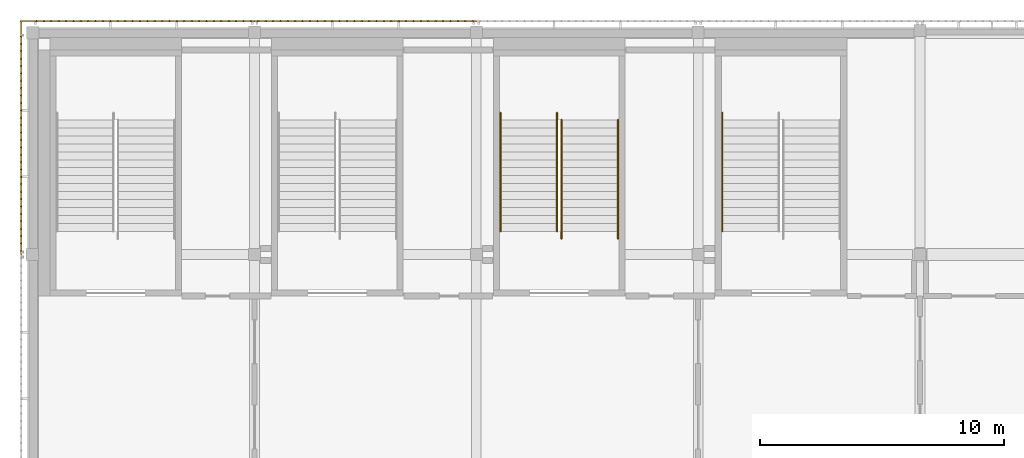
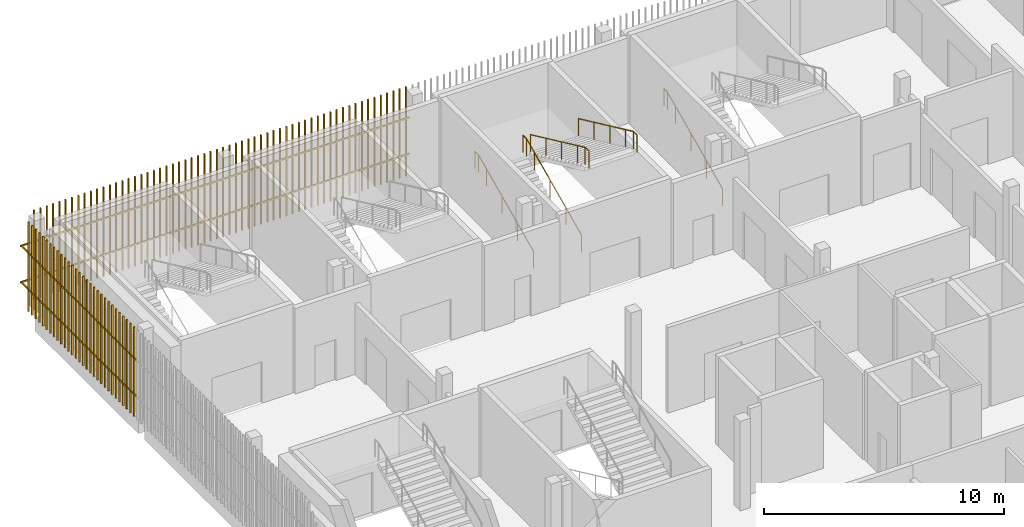
# One storey, part 80 of 91: 5 railings, 3 shading devices.
"""IFC4 building model written with IfcOpenShell, lengths in metres."""

from ifc_helpers import new_model, si_unit, direction, frame, origin, origin_2d, place, context, subcontext, project, spatial, rectangle, circle, extrude, material, type_object, element, save


model = new_model("IFC4")

# Units and contexts
model_context = context("Model", 3, precision=1e-05, world=origin(), true_north=direction((0.0, 1.0)))
body_context = subcontext(model_context, "Body", "Model", "MODEL_VIEW")
ifc_project = project(units=[si_unit("LENGTHUNIT", "METRE"), si_unit("AREAUNIT", "SQUARE_METRE"), si_unit("VOLUMEUNIT", "CUBIC_METRE"), si_unit("PLANEANGLEUNIT", "RADIAN"), si_unit("MASSUNIT", "GRAM", prefix="KILO")], contexts=[model_context])

# Site, building, storey
site_placement = place(None, origin())
site = spatial("IfcSite", under=ifc_project, at=site_placement, CompositionType="ELEMENT")
building_placement = place(site_placement, origin())
building = spatial("IfcBuilding", under=site, at=building_placement, Name="Shirokan Park Arena", CompositionType="ELEMENT")
storey_placement = place(building_placement, frame((0.0, 0.0, 24.570068359375)))
storey = spatial("IfcBuildingStorey", under=building, at=storey_placement, Name="L05", CompositionType="ELEMENT", Elevation=24.570068359375)

# Railings
ifc_material_1 = material(Name="Stainless steel", Category="steel")
railing_type = type_object("IfcRailingType", Name="Stair handrail 900", PredefinedType="HANDRAIL", material=ifc_material_1)
railing_1_placement = place(storey_placement, frame((19.18994140625, 101.050048828125, 0.151611328125)))
element("IfcRailing", 1, at=railing_1_placement, inside=storey, type_object=railing_type, Name="Handrail Exit Stair 4.C L05 to L06", PredefinedType="HANDRAIL", context=body_context, shape_type="SweptSolid", body=[
    extrude(circle(Radius=0.02392578125, at=origin_2d()), frame((0.0, 0.0, 0.8759765625), z_axis=(0.0, 0.906999720516, 0.421131222998), x_axis=(-1.0, 0.0, 0.0)), (0.0, 0.0, 1.0), 1.440673828125),
    extrude(circle(Radius=0.02392578125, at=origin_2d()), frame((0.0, 1.306640625, 1.482421875), z_axis=(0.0, 0.907029769225, 0.421066500378), x_axis=(-1.0, 0.0, 0.0)), (0.0, 0.0, 1.0), 1.44091796875),
    extrude(circle(Radius=0.02392578125, at=origin_2d()), frame((0.0, 2.613525390625, 2.08935546875), z_axis=(0.0, 0.907029769225, 0.421066500378), x_axis=(-1.0, 0.0, 0.0)), (0.0, 0.0, 1.0), 1.44091796875),
    extrude(circle(Radius=0.02392578125, at=origin_2d()), frame((0.0, 3.92041015625, 2.69580078125), z_axis=(0.0, 0.907064445915, 0.420991794405), x_axis=(-1.0, 0.0, 0.0)), (0.0, 0.0, 1.0), 0.72021484375),
    extrude(circle(Radius=0.02392578125, at=origin_2d()), frame((0.0, 4.57373046875, 2.9990234375), z_axis=(0.0, 1.0, 0.0), x_axis=(-1.0, 0.0, 0.0)), (0.0, 0.0, 1.0), 0.300048828125),
    extrude(circle(Radius=0.02099609375, at=origin_2d()), origin(), (0.0, 0.0, 1.0), 0.851806640625),
    extrude(circle(Radius=0.02099609375, at=origin_2d()), frame((0.0, 1.306640625, 0.606689453125)), (0.0, 0.0, 1.0), 0.851806640625),
    extrude(circle(Radius=0.02099609375, at=origin_2d()), frame((0.0, 2.613525390625, 1.21337890625)), (0.0, 0.0, 1.0), 0.851806640625),
    extrude(circle(Radius=0.02099609375, at=origin_2d()), frame((0.0, 3.92041015625, 1.820068359375)), (0.0, 0.0, 1.0), 0.851806640625),
    extrude(circle(Radius=0.02099609375, at=origin_2d()), frame((0.0, 4.57373046875, 2.123291015625)), (0.0, 0.0, 1.0), 0.851806640625),
    extrude(circle(Radius=0.02099609375, at=origin_2d()), frame((0.0, 4.873779296875, 2.123291015625)), (0.0, 0.0, 1.0), 0.851806640625),
])
railing_2_placement = place(storey_placement, frame((21.510009765625, 101.050048828125, 0.151611328125)))
element("IfcRailing", 2, at=railing_2_placement, inside=storey, type_object=railing_type, Name="Handrail Exit Stair 4.C L05 to L06", PredefinedType="HANDRAIL", context=body_context, shape_type="SweptSolid", body=[
    extrude(circle(Radius=0.02392578125, at=origin_2d()), frame((0.0, 0.0, 0.8759765625), z_axis=(0.0, 0.906999720516, 0.421131222998), x_axis=(-1.0, 0.0, 0.0)), (0.0, 0.0, 1.0), 1.440673828125),
    extrude(circle(Radius=0.02392578125, at=origin_2d()), frame((0.0, 1.306640625, 1.482421875), z_axis=(0.0, 0.907029769225, 0.421066500378), x_axis=(-1.0, 0.0, 0.0)), (0.0, 0.0, 1.0), 1.44091796875),
    extrude(circle(Radius=0.02392578125, at=origin_2d()), frame((0.0, 2.613525390625, 2.08935546875), z_axis=(0.0, 0.907029769225, 0.421066500378), x_axis=(-1.0, 0.0, 0.0)), (0.0, 0.0, 1.0), 1.44091796875),
    extrude(circle(Radius=0.02392578125, at=origin_2d()), frame((0.0, 3.92041015625, 2.69580078125), z_axis=(0.0, 0.907064445915, 0.420991794405), x_axis=(-1.0, 0.0, 0.0)), (0.0, 0.0, 1.0), 0.72021484375),
    extrude(circle(Radius=0.02392578125, at=origin_2d()), frame((0.0, 4.57373046875, 2.9990234375), z_axis=(0.0, 1.0, 0.0), x_axis=(-1.0, 0.0, 0.0)), (0.0, 0.0, 1.0), 0.300048828125),
    extrude(circle(Radius=0.02099609375, at=origin_2d()), origin(), (0.0, 0.0, 1.0), 0.851806640625),
    extrude(circle(Radius=0.02099609375, at=origin_2d()), frame((0.0, 1.306640625, 0.606689453125)), (0.0, 0.0, 1.0), 0.851806640625),
    extrude(circle(Radius=0.02099609375, at=origin_2d()), frame((0.0, 2.613525390625, 1.21337890625)), (0.0, 0.0, 1.0), 0.851806640625),
    extrude(circle(Radius=0.02099609375, at=origin_2d()), frame((0.0, 3.92041015625, 1.820068359375)), (0.0, 0.0, 1.0), 0.851806640625),
    extrude(circle(Radius=0.02099609375, at=origin_2d()), frame((0.0, 4.57373046875, 2.123291015625)), (0.0, 0.0, 1.0), 0.851806640625),
    extrude(circle(Radius=0.02099609375, at=origin_2d()), frame((0.0, 4.873779296875, 2.123291015625)), (0.0, 0.0, 1.0), 0.851806640625),
])
railing_3_placement = place(storey_placement, frame((21.68994140625, 105.623779296875, 2.426513671875)))
element("IfcRailing", 3, at=railing_3_placement, inside=storey, type_object=railing_type, Name="Handrail Exit Stair 4.C L05 to L06", PredefinedType="HANDRAIL", context=body_context, shape_type="SweptSolid", body=[
    extrude(circle(Radius=0.02392578125, at=origin_2d()), frame((0.0, 0.0, 0.8759765625), z_axis=(0.0, -0.907029769225, 0.421066500378), x_axis=(1.0, 0.0, 0.0)), (0.0, 0.0, 1.0), 1.44091796875),
    extrude(circle(Radius=0.02392578125, at=origin_2d()), frame((0.0, -1.306884765625, 1.482421875), z_axis=(0.0, -0.906999720516, 0.421131222998), x_axis=(1.0, 0.0, 0.0)), (0.0, 0.0, 1.0), 1.440673828125),
    extrude(circle(Radius=0.02392578125, at=origin_2d()), frame((0.0, -2.613525390625, 2.08935546875), z_axis=(0.0, -0.907029769225, 0.421066500378), x_axis=(1.0, 0.0, 0.0)), (0.0, 0.0, 1.0), 1.44091796875),
    extrude(circle(Radius=0.02392578125, at=origin_2d()), frame((0.0, -3.92041015625, 2.69580078125), z_axis=(0.0, -0.906934982928, 0.421270621741), x_axis=(1.0, 0.0, 0.0)), (0.0, 0.0, 1.0), 0.720458984375),
    extrude(circle(Radius=0.02392578125, at=origin_2d()), frame((0.0, -4.57373046875, 2.99951171875), z_axis=(0.0, -1.0, 0.0), x_axis=(1.0, 0.0, 0.0)), (0.0, 0.0, 1.0), 0.300048828125),
    extrude(circle(Radius=0.02099609375, at=origin_2d()), origin(), (0.0, 0.0, 1.0), 0.851806640625),
    extrude(circle(Radius=0.02099609375, at=origin_2d()), frame((0.0, -1.306884765625, 0.606689453125)), (0.0, 0.0, 1.0), 0.851806640625),
    extrude(circle(Radius=0.02099609375, at=origin_2d()), frame((0.0, -2.613525390625, 1.21337890625)), (0.0, 0.0, 1.0), 0.851806640625),
    extrude(circle(Radius=0.02099609375, at=origin_2d()), frame((0.0, -3.92041015625, 1.820068359375)), (0.0, 0.0, 1.0), 0.851806640625),
    extrude(circle(Radius=0.02099609375, at=origin_2d()), frame((0.0, -4.57373046875, 2.12353515625)), (0.0, 0.0, 1.0), 0.851806640625),
    extrude(circle(Radius=0.02099609375, at=origin_2d()), frame((0.0, -4.873779296875, 2.12353515625)), (0.0, 0.0, 1.0), 0.851806640625),
])
railing_4_placement = place(storey_placement, frame((24.010009765625, 105.623779296875, 2.426513671875)))
element("IfcRailing", 4, at=railing_4_placement, inside=storey, type_object=railing_type, Name="Handrail Exit Stair 4.C L05 to L06", PredefinedType="HANDRAIL", context=body_context, shape_type="SweptSolid", body=[
    extrude(circle(Radius=0.02392578125, at=origin_2d()), frame((0.0, 0.0, 0.8759765625), z_axis=(0.0, -0.907029769225, 0.421066500378), x_axis=(1.0, 0.0, 0.0)), (0.0, 0.0, 1.0), 1.44091796875),
    extrude(circle(Radius=0.02392578125, at=origin_2d()), frame((0.0, -1.306884765625, 1.482421875), z_axis=(0.0, -0.906999720516, 0.421131222998), x_axis=(1.0, 0.0, 0.0)), (0.0, 0.0, 1.0), 1.440673828125),
    extrude(circle(Radius=0.02392578125, at=origin_2d()), frame((0.0, -2.613525390625, 2.08935546875), z_axis=(0.0, -0.907029769225, 0.421066500378), x_axis=(1.0, 0.0, 0.0)), (0.0, 0.0, 1.0), 1.44091796875),
    extrude(circle(Radius=0.02392578125, at=origin_2d()), frame((0.0, -3.92041015625, 2.69580078125), z_axis=(0.0, -0.906934982928, 0.421270621741), x_axis=(1.0, 0.0, 0.0)), (0.0, 0.0, 1.0), 0.720458984375),
    extrude(circle(Radius=0.02392578125, at=origin_2d()), frame((0.0, -4.57373046875, 2.99951171875), z_axis=(0.0, -1.0, 0.0), x_axis=(1.0, 0.0, 0.0)), (0.0, 0.0, 1.0), 0.300048828125),
    extrude(circle(Radius=0.02099609375, at=origin_2d()), origin(), (0.0, 0.0, 1.0), 0.851806640625),
    extrude(circle(Radius=0.02099609375, at=origin_2d()), frame((0.0, -1.306884765625, 0.606689453125)), (0.0, 0.0, 1.0), 0.851806640625),
    extrude(circle(Radius=0.02099609375, at=origin_2d()), frame((0.0, -2.613525390625, 1.21337890625)), (0.0, 0.0, 1.0), 0.851806640625),
    extrude(circle(Radius=0.02099609375, at=origin_2d()), frame((0.0, -3.92041015625, 1.820068359375)), (0.0, 0.0, 1.0), 0.851806640625),
    extrude(circle(Radius=0.02099609375, at=origin_2d()), frame((0.0, -4.57373046875, 2.12353515625)), (0.0, 0.0, 1.0), 0.851806640625),
    extrude(circle(Radius=0.02099609375, at=origin_2d()), frame((0.0, -4.873779296875, 2.12353515625)), (0.0, 0.0, 1.0), 0.851806640625),
])
railing_5_placement = place(storey_placement, frame((28.2900390625, 101.050048828125, 0.151611328125)))
element("IfcRailing", 5, at=railing_5_placement, inside=storey, type_object=railing_type, Name="Handrail Exit Stair 4.D L05 to L06", PredefinedType="HANDRAIL", context=body_context, shape_type="SweptSolid", body=[
    extrude(circle(Radius=0.02392578125, at=origin_2d()), frame((0.0, 0.0, 0.8759765625), z_axis=(0.0, 0.906999720516, 0.421131222998), x_axis=(-1.0, 0.0, 0.0)), (0.0, 0.0, 1.0), 1.440673828125),
    extrude(circle(Radius=0.02392578125, at=origin_2d()), frame((0.0, 1.306640625, 1.482421875), z_axis=(0.0, 0.907029769225, 0.421066500378), x_axis=(-1.0, 0.0, 0.0)), (0.0, 0.0, 1.0), 1.44091796875),
    extrude(circle(Radius=0.02392578125, at=origin_2d()), frame((0.0, 2.613525390625, 2.08935546875), z_axis=(0.0, 0.907029769225, 0.421066500378), x_axis=(-1.0, 0.0, 0.0)), (0.0, 0.0, 1.0), 1.44091796875),
    extrude(circle(Radius=0.02392578125, at=origin_2d()), frame((0.0, 3.92041015625, 2.69580078125), z_axis=(0.0, 0.907064445915, 0.420991794405), x_axis=(-1.0, 0.0, 0.0)), (0.0, 0.0, 1.0), 0.72021484375),
    extrude(circle(Radius=0.02392578125, at=origin_2d()), frame((0.0, 4.57373046875, 2.9990234375), z_axis=(0.0, 1.0, 0.0), x_axis=(-1.0, 0.0, 0.0)), (0.0, 0.0, 1.0), 0.300048828125),
    extrude(circle(Radius=0.02099609375, at=origin_2d()), origin(), (0.0, 0.0, 1.0), 0.851806640625),
    extrude(circle(Radius=0.02099609375, at=origin_2d()), frame((0.0, 1.306640625, 0.606689453125)), (0.0, 0.0, 1.0), 0.851806640625),
    extrude(circle(Radius=0.02099609375, at=origin_2d()), frame((0.0, 2.613525390625, 1.21337890625)), (0.0, 0.0, 1.0), 0.851806640625),
    extrude(circle(Radius=0.02099609375, at=origin_2d()), frame((0.0, 3.92041015625, 1.820068359375)), (0.0, 0.0, 1.0), 0.851806640625),
    extrude(circle(Radius=0.02099609375, at=origin_2d()), frame((0.0, 4.57373046875, 2.123291015625)), (0.0, 0.0, 1.0), 0.851806640625),
    extrude(circle(Radius=0.02099609375, at=origin_2d()), frame((0.0, 4.873779296875, 2.123291015625)), (0.0, 0.0, 1.0), 0.851806640625),
])

# Shading devices
ifc_material_2 = material(Name="Timber louvre veil (cedar)", Category="wood")
shading_device_type = type_object("IfcShadingDeviceType", Name="Timber louvre veil panel", PredefinedType="JALOUSIE", material=ifc_material_2)
shading_device_1_placement = place(storey_placement, origin())
element("IfcShadingDevice", 6, at=shading_device_1_placement, inside=storey, type_object=shading_device_type, Name="Timber louvre veil north bay 15 L05", PredefinedType="JALOUSIE", context=body_context, shape_type="SweptSolid", body=[
    extrude(rectangle(XDim=0.050048828125, YDim=0.080078125, at=origin_2d()), frame((18.04833984375, 109.68505859375, 0.0), z_axis=(0.0, 0.0, 1.0), x_axis=(-1.0, 0.0, 0.0)), (0.0, 0.0, 1.0), 4.550048828125),
    extrude(rectangle(XDim=0.050048828125, YDim=0.080078125, at=origin_2d()), frame((17.7451171875, 109.68505859375, 0.0), z_axis=(0.0, 0.0, 1.0), x_axis=(-1.0, 0.0, 0.0)), (0.0, 0.0, 1.0), 4.550048828125),
    extrude(rectangle(XDim=0.050048828125, YDim=0.080078125, at=origin_2d()), frame((17.441650390625, 109.68505859375, 0.0), z_axis=(0.0, 0.0, 1.0), x_axis=(-1.0, 0.0, 0.0)), (0.0, 0.0, 1.0), 4.550048828125),
    extrude(rectangle(XDim=0.050048828125, YDim=0.080078125, at=origin_2d()), frame((17.138427734375, 109.68505859375, 0.0), z_axis=(0.0, 0.0, 1.0), x_axis=(-1.0, 0.0, 0.0)), (0.0, 0.0, 1.0), 4.550048828125),
    extrude(rectangle(XDim=0.050048828125, YDim=0.080078125, at=origin_2d()), frame((16.8349609375, 109.68505859375, 0.0), z_axis=(0.0, 0.0, 1.0), x_axis=(-1.0, 0.0, 0.0)), (0.0, 0.0, 1.0), 4.550048828125),
    extrude(rectangle(XDim=0.050048828125, YDim=0.080078125, at=origin_2d()), frame((16.53173828125, 109.68505859375, 0.0), z_axis=(0.0, 0.0, 1.0), x_axis=(-1.0, 0.0, 0.0)), (0.0, 0.0, 1.0), 4.550048828125),
    extrude(rectangle(XDim=0.050048828125, YDim=0.080078125, at=origin_2d()), frame((16.228271484375, 109.68505859375, 0.0), z_axis=(0.0, 0.0, 1.0), x_axis=(-1.0, 0.0, 0.0)), (0.0, 0.0, 1.0), 4.550048828125),
    extrude(rectangle(XDim=0.050048828125, YDim=0.080078125, at=origin_2d()), frame((15.925048828125, 109.68505859375, 0.0), z_axis=(0.0, 0.0, 1.0), x_axis=(-1.0, 0.0, 0.0)), (0.0, 0.0, 1.0), 4.550048828125),
    extrude(rectangle(XDim=0.050048828125, YDim=0.080078125, at=origin_2d()), frame((15.62158203125, 109.68505859375, 0.0), z_axis=(0.0, 0.0, 1.0), x_axis=(-1.0, 0.0, 0.0)), (0.0, 0.0, 1.0), 4.550048828125),
    extrude(rectangle(XDim=0.050048828125, YDim=0.080078125, at=origin_2d()), frame((15.318359375, 109.68505859375, 0.0), z_axis=(0.0, 0.0, 1.0), x_axis=(-1.0, 0.0, 0.0)), (0.0, 0.0, 1.0), 4.550048828125),
    extrude(rectangle(XDim=0.050048828125, YDim=0.080078125, at=origin_2d()), frame((15.014892578125, 109.68505859375, 0.0), z_axis=(0.0, 0.0, 1.0), x_axis=(-1.0, 0.0, 0.0)), (0.0, 0.0, 1.0), 4.550048828125),
    extrude(rectangle(XDim=0.050048828125, YDim=0.080078125, at=origin_2d()), frame((14.711669921875, 109.68505859375, 0.0), z_axis=(0.0, 0.0, 1.0), x_axis=(-1.0, 0.0, 0.0)), (0.0, 0.0, 1.0), 4.550048828125),
    extrude(rectangle(XDim=0.050048828125, YDim=0.080078125, at=origin_2d()), frame((14.408447265625, 109.68505859375, 0.0), z_axis=(0.0, 0.0, 1.0), x_axis=(-1.0, 0.0, 0.0)), (0.0, 0.0, 1.0), 4.550048828125),
    extrude(rectangle(XDim=0.050048828125, YDim=0.080078125, at=origin_2d()), frame((14.10498046875, 109.68505859375, 0.0), z_axis=(0.0, 0.0, 1.0), x_axis=(-1.0, 0.0, 0.0)), (0.0, 0.0, 1.0), 4.550048828125),
    extrude(rectangle(XDim=0.050048828125, YDim=0.080078125, at=origin_2d()), frame((13.8017578125, 109.68505859375, 0.0), z_axis=(0.0, 0.0, 1.0), x_axis=(-1.0, 0.0, 0.0)), (0.0, 0.0, 1.0), 4.550048828125),
    extrude(rectangle(XDim=0.050048828125, YDim=0.080078125, at=origin_2d()), frame((13.498291015625, 109.68505859375, 0.0), z_axis=(0.0, 0.0, 1.0), x_axis=(-1.0, 0.0, 0.0)), (0.0, 0.0, 1.0), 4.550048828125),
    extrude(rectangle(XDim=0.050048828125, YDim=0.080078125, at=origin_2d()), frame((13.195068359375, 109.68505859375, 0.0), z_axis=(0.0, 0.0, 1.0), x_axis=(-1.0, 0.0, 0.0)), (0.0, 0.0, 1.0), 4.550048828125),
    extrude(rectangle(XDim=0.050048828125, YDim=0.080078125, at=origin_2d()), frame((12.8916015625, 109.68505859375, 0.0), z_axis=(0.0, 0.0, 1.0), x_axis=(-1.0, 0.0, 0.0)), (0.0, 0.0, 1.0), 4.550048828125),
    extrude(rectangle(XDim=0.050048828125, YDim=0.080078125, at=origin_2d()), frame((12.58837890625, 109.68505859375, 0.0), z_axis=(0.0, 0.0, 1.0), x_axis=(-1.0, 0.0, 0.0)), (0.0, 0.0, 1.0), 4.550048828125),
    extrude(rectangle(XDim=0.050048828125, YDim=0.080078125, at=origin_2d()), frame((12.284912109375, 109.68505859375, 0.0), z_axis=(0.0, 0.0, 1.0), x_axis=(-1.0, 0.0, 0.0)), (0.0, 0.0, 1.0), 4.550048828125),
    extrude(rectangle(XDim=0.050048828125, YDim=0.080078125, at=origin_2d()), frame((11.981689453125, 109.68505859375, 0.0), z_axis=(0.0, 0.0, 1.0), x_axis=(-1.0, 0.0, 0.0)), (0.0, 0.0, 1.0), 4.550048828125),
    extrude(rectangle(XDim=0.050048828125, YDim=0.080078125, at=origin_2d()), frame((11.67822265625, 109.68505859375, 0.0), z_axis=(0.0, 0.0, 1.0), x_axis=(-1.0, 0.0, 0.0)), (0.0, 0.0, 1.0), 4.550048828125),
    extrude(rectangle(XDim=0.050048828125, YDim=0.080078125, at=origin_2d()), frame((11.375, 109.68505859375, 0.0), z_axis=(0.0, 0.0, 1.0), x_axis=(-1.0, 0.0, 0.0)), (0.0, 0.0, 1.0), 4.550048828125),
    extrude(rectangle(XDim=0.050048828125, YDim=0.080078125, at=origin_2d()), frame((11.07177734375, 109.68505859375, 0.0), z_axis=(0.0, 0.0, 1.0), x_axis=(-1.0, 0.0, 0.0)), (0.0, 0.0, 1.0), 4.550048828125),
    extrude(rectangle(XDim=0.050048828125, YDim=0.080078125, at=origin_2d()), frame((10.768310546875, 109.68505859375, 0.0), z_axis=(0.0, 0.0, 1.0), x_axis=(-1.0, 0.0, 0.0)), (0.0, 0.0, 1.0), 4.550048828125),
    extrude(rectangle(XDim=0.050048828125, YDim=0.080078125, at=origin_2d()), frame((10.465087890625, 109.68505859375, 0.0), z_axis=(0.0, 0.0, 1.0), x_axis=(-1.0, 0.0, 0.0)), (0.0, 0.0, 1.0), 4.550048828125),
    extrude(rectangle(XDim=0.050048828125, YDim=0.080078125, at=origin_2d()), frame((10.16162109375, 109.68505859375, 0.0), z_axis=(0.0, 0.0, 1.0), x_axis=(-1.0, 0.0, 0.0)), (0.0, 0.0, 1.0), 4.550048828125),
    extrude(rectangle(XDim=0.050048828125, YDim=0.080078125, at=origin_2d()), frame((9.8583984375, 109.68505859375, 0.0), z_axis=(0.0, 0.0, 1.0), x_axis=(-1.0, 0.0, 0.0)), (0.0, 0.0, 1.0), 4.550048828125),
    extrude(rectangle(XDim=0.050048828125, YDim=0.080078125, at=origin_2d()), frame((9.554931640625, 109.68505859375, 0.0), z_axis=(0.0, 0.0, 1.0), x_axis=(-1.0, 0.0, 0.0)), (0.0, 0.0, 1.0), 4.550048828125),
    extrude(rectangle(XDim=0.050048828125, YDim=0.080078125, at=origin_2d()), frame((9.251708984375, 109.68505859375, 0.0), z_axis=(0.0, 0.0, 1.0), x_axis=(-1.0, 0.0, 0.0)), (0.0, 0.0, 1.0), 4.550048828125),
    extrude(rectangle(XDim=9.10009765625, YDim=0.050048828125, at=origin_2d()), frame((13.64990234375, 109.669921875, 1.059814453125), z_axis=(0.0, 0.0, 1.0), x_axis=(-1.0, 0.0, 0.0)), (0.0, 0.0, 1.0), 0.080078125),
    extrude(rectangle(XDim=9.10009765625, YDim=0.050048828125, at=origin_2d()), frame((13.64990234375, 109.669921875, 2.909912109375), z_axis=(0.0, 0.0, 1.0), x_axis=(-1.0, 0.0, 0.0)), (0.0, 0.0, 1.0), 0.080078125),
])
shading_device_2_placement = place(storey_placement, origin())
element("IfcShadingDevice", 7, at=shading_device_2_placement, inside=storey, type_object=shading_device_type, Name="Timber louvre veil north bay 16 L05", PredefinedType="JALOUSIE", context=body_context, shape_type="SweptSolid", body=[
    extrude(rectangle(XDim=0.050048828125, YDim=0.080078125, at=origin_2d()), frame((8.9482421875, 109.68505859375, 0.0), z_axis=(0.0, 0.0, 1.0), x_axis=(-1.0, 0.0, 0.0)), (0.0, 0.0, 1.0), 4.550048828125),
    extrude(rectangle(XDim=0.050048828125, YDim=0.080078125, at=origin_2d()), frame((8.64501953125, 109.68505859375, 0.0), z_axis=(0.0, 0.0, 1.0), x_axis=(-1.0, 0.0, 0.0)), (0.0, 0.0, 1.0), 4.550048828125),
    extrude(rectangle(XDim=0.050048828125, YDim=0.080078125, at=origin_2d()), frame((8.341552734375, 109.68505859375, 0.0), z_axis=(0.0, 0.0, 1.0), x_axis=(-1.0, 0.0, 0.0)), (0.0, 0.0, 1.0), 4.550048828125),
    extrude(rectangle(XDim=0.050048828125, YDim=0.080078125, at=origin_2d()), frame((8.038330078125, 109.68505859375, 0.0), z_axis=(0.0, 0.0, 1.0), x_axis=(-1.0, 0.0, 0.0)), (0.0, 0.0, 1.0), 4.550048828125),
    extrude(rectangle(XDim=0.050048828125, YDim=0.080078125, at=origin_2d()), frame((7.735107421875, 109.68505859375, 0.0), z_axis=(0.0, 0.0, 1.0), x_axis=(-1.0, 0.0, 0.0)), (0.0, 0.0, 1.0), 4.550048828125),
    extrude(rectangle(XDim=0.050048828125, YDim=0.080078125, at=origin_2d()), frame((7.431640625, 109.68505859375, 0.0), z_axis=(0.0, 0.0, 1.0), x_axis=(-1.0, 0.0, 0.0)), (0.0, 0.0, 1.0), 4.550048828125),
    extrude(rectangle(XDim=0.050048828125, YDim=0.080078125, at=origin_2d()), frame((7.12841796875, 109.68505859375, 0.0), z_axis=(0.0, 0.0, 1.0), x_axis=(-1.0, 0.0, 0.0)), (0.0, 0.0, 1.0), 4.550048828125),
    extrude(rectangle(XDim=0.050048828125, YDim=0.080078125, at=origin_2d()), frame((6.824951171875, 109.68505859375, 0.0), z_axis=(0.0, 0.0, 1.0), x_axis=(-1.0, 0.0, 0.0)), (0.0, 0.0, 1.0), 4.550048828125),
    extrude(rectangle(XDim=0.050048828125, YDim=0.080078125, at=origin_2d()), frame((6.521728515625, 109.68505859375, 0.0), z_axis=(0.0, 0.0, 1.0), x_axis=(-1.0, 0.0, 0.0)), (0.0, 0.0, 1.0), 4.550048828125),
    extrude(rectangle(XDim=0.050048828125, YDim=0.080078125, at=origin_2d()), frame((6.21826171875, 109.68505859375, 0.0), z_axis=(0.0, 0.0, 1.0), x_axis=(-1.0, 0.0, 0.0)), (0.0, 0.0, 1.0), 4.550048828125),
    extrude(rectangle(XDim=0.050048828125, YDim=0.080078125, at=origin_2d()), frame((5.9150390625, 109.68505859375, 0.0), z_axis=(0.0, 0.0, 1.0), x_axis=(-1.0, 0.0, 0.0)), (0.0, 0.0, 1.0), 4.550048828125),
    extrude(rectangle(XDim=0.050048828125, YDim=0.080078125, at=origin_2d()), frame((5.611572265625, 109.68505859375, 0.0), z_axis=(0.0, 0.0, 1.0), x_axis=(-1.0, 0.0, 0.0)), (0.0, 0.0, 1.0), 4.550048828125),
    extrude(rectangle(XDim=0.050048828125, YDim=0.080078125, at=origin_2d()), frame((5.308349609375, 109.68505859375, 0.0), z_axis=(0.0, 0.0, 1.0), x_axis=(-1.0, 0.0, 0.0)), (0.0, 0.0, 1.0), 4.550048828125),
    extrude(rectangle(XDim=0.050048828125, YDim=0.080078125, at=origin_2d()), frame((5.0048828125, 109.68505859375, 0.0), z_axis=(0.0, 0.0, 1.0), x_axis=(-1.0, 0.0, 0.0)), (0.0, 0.0, 1.0), 4.550048828125),
    extrude(rectangle(XDim=0.050048828125, YDim=0.080078125, at=origin_2d()), frame((4.70166015625, 109.68505859375, 0.0), z_axis=(0.0, 0.0, 1.0), x_axis=(-1.0, 0.0, 0.0)), (0.0, 0.0, 1.0), 4.550048828125),
    extrude(rectangle(XDim=0.050048828125, YDim=0.080078125, at=origin_2d()), frame((4.3984375, 109.68505859375, 0.0), z_axis=(0.0, 0.0, 1.0), x_axis=(-1.0, 0.0, 0.0)), (0.0, 0.0, 1.0), 4.550048828125),
    extrude(rectangle(XDim=0.050048828125, YDim=0.080078125, at=origin_2d()), frame((4.094970703125, 109.68505859375, 0.0), z_axis=(0.0, 0.0, 1.0), x_axis=(-1.0, 0.0, 0.0)), (0.0, 0.0, 1.0), 4.550048828125),
    extrude(rectangle(XDim=0.050048828125, YDim=0.080078125, at=origin_2d()), frame((3.791748046875, 109.68505859375, 0.0), z_axis=(0.0, 0.0, 1.0), x_axis=(-1.0, 0.0, 0.0)), (0.0, 0.0, 1.0), 4.550048828125),
    extrude(rectangle(XDim=0.050048828125, YDim=0.080078125, at=origin_2d()), frame((3.48828125, 109.68505859375, 0.0), z_axis=(0.0, 0.0, 1.0), x_axis=(-1.0, 0.0, 0.0)), (0.0, 0.0, 1.0), 4.550048828125),
    extrude(rectangle(XDim=0.050048828125, YDim=0.080078125, at=origin_2d()), frame((3.18505859375, 109.68505859375, 0.0), z_axis=(0.0, 0.0, 1.0), x_axis=(-1.0, 0.0, 0.0)), (0.0, 0.0, 1.0), 4.550048828125),
    extrude(rectangle(XDim=0.050048828125, YDim=0.080078125, at=origin_2d()), frame((2.881591796875, 109.68505859375, 0.0), z_axis=(0.0, 0.0, 1.0), x_axis=(-1.0, 0.0, 0.0)), (0.0, 0.0, 1.0), 4.550048828125),
    extrude(rectangle(XDim=0.050048828125, YDim=0.080078125, at=origin_2d()), frame((2.578369140625, 109.68505859375, 0.0), z_axis=(0.0, 0.0, 1.0), x_axis=(-1.0, 0.0, 0.0)), (0.0, 0.0, 1.0), 4.550048828125),
    extrude(rectangle(XDim=0.050048828125, YDim=0.080078125, at=origin_2d()), frame((2.27490234375, 109.68505859375, 0.0), z_axis=(0.0, 0.0, 1.0), x_axis=(-1.0, 0.0, 0.0)), (0.0, 0.0, 1.0), 4.550048828125),
    extrude(rectangle(XDim=0.050048828125, YDim=0.080078125, at=origin_2d()), frame((1.9716796875, 109.68505859375, 0.0), z_axis=(0.0, 0.0, 1.0), x_axis=(-1.0, 0.0, 0.0)), (0.0, 0.0, 1.0), 4.550048828125),
    extrude(rectangle(XDim=0.050048828125, YDim=0.080078125, at=origin_2d()), frame((1.668212890625, 109.68505859375, 0.0), z_axis=(0.0, 0.0, 1.0), x_axis=(-1.0, 0.0, 0.0)), (0.0, 0.0, 1.0), 4.550048828125),
    extrude(rectangle(XDim=0.050048828125, YDim=0.080078125, at=origin_2d()), frame((1.364990234375, 109.68505859375, 0.0), z_axis=(0.0, 0.0, 1.0), x_axis=(-1.0, 0.0, 0.0)), (0.0, 0.0, 1.0), 4.550048828125),
    extrude(rectangle(XDim=0.050048828125, YDim=0.080078125, at=origin_2d()), frame((1.061767578125, 109.68505859375, 0.0), z_axis=(0.0, 0.0, 1.0), x_axis=(-1.0, 0.0, 0.0)), (0.0, 0.0, 1.0), 4.550048828125),
    extrude(rectangle(XDim=0.050048828125, YDim=0.080078125, at=origin_2d()), frame((0.75830078125, 109.68505859375, 0.0), z_axis=(0.0, 0.0, 1.0), x_axis=(-1.0, 0.0, 0.0)), (0.0, 0.0, 1.0), 4.550048828125),
    extrude(rectangle(XDim=0.050048828125, YDim=0.080078125, at=origin_2d()), frame((0.455078125, 109.68505859375, 0.0), z_axis=(0.0, 0.0, 1.0), x_axis=(-1.0, 0.0, 0.0)), (0.0, 0.0, 1.0), 4.550048828125),
    extrude(rectangle(XDim=0.050048828125, YDim=0.080078125, at=origin_2d()), frame((0.151611328125, 109.68505859375, 0.0), z_axis=(0.0, 0.0, 1.0), x_axis=(-1.0, 0.0, 0.0)), (0.0, 0.0, 1.0), 4.550048828125),
    extrude(rectangle(XDim=9.625, YDim=0.050048828125, at=origin_2d()), frame((4.28759765625, 109.669921875, 1.059814453125), z_axis=(0.0, 0.0, 1.0), x_axis=(-1.0, 0.0, 0.0)), (0.0, 0.0, 1.0), 0.080078125),
    extrude(rectangle(XDim=9.625, YDim=0.050048828125, at=origin_2d()), frame((4.28759765625, 109.669921875, 2.909912109375), z_axis=(0.0, 0.0, 1.0), x_axis=(-1.0, 0.0, 0.0)), (0.0, 0.0, 1.0), 0.080078125),
])
shading_device_3_placement = place(storey_placement, origin())
element("IfcShadingDevice", 8, at=shading_device_3_placement, inside=storey, type_object=shading_device_type, Name="Timber louvre veil west bay 1 L05", PredefinedType="JALOUSIE", context=body_context, shape_type="SweptSolid", body=[
    extrude(rectangle(XDim=0.050048828125, YDim=0.080078125, at=origin_2d()), frame((-0.485107421875, 109.04833984375, 0.0), z_axis=(0.0, 0.0, 1.0), x_axis=(0.0, -1.0, 0.0)), (0.0, 0.0, 1.0), 4.550048828125),
    extrude(rectangle(XDim=0.050048828125, YDim=0.080078125, at=origin_2d()), frame((-0.485107421875, 108.7451171875, 0.0), z_axis=(0.0, 0.0, 1.0), x_axis=(0.0, -1.0, 0.0)), (0.0, 0.0, 1.0), 4.550048828125),
    extrude(rectangle(XDim=0.050048828125, YDim=0.080078125, at=origin_2d()), frame((-0.485107421875, 108.441650390625, 0.0), z_axis=(0.0, 0.0, 1.0), x_axis=(0.0, -1.0, 0.0)), (0.0, 0.0, 1.0), 4.550048828125),
    extrude(rectangle(XDim=0.050048828125, YDim=0.080078125, at=origin_2d()), frame((-0.485107421875, 108.138427734375, 0.0), z_axis=(0.0, 0.0, 1.0), x_axis=(0.0, -1.0, 0.0)), (0.0, 0.0, 1.0), 4.550048828125),
    extrude(rectangle(XDim=0.050048828125, YDim=0.080078125, at=origin_2d()), frame((-0.485107421875, 107.8349609375, 0.0), z_axis=(0.0, 0.0, 1.0), x_axis=(0.0, -1.0, 0.0)), (0.0, 0.0, 1.0), 4.550048828125),
    extrude(rectangle(XDim=0.050048828125, YDim=0.080078125, at=origin_2d()), frame((-0.485107421875, 107.53173828125, 0.0), z_axis=(0.0, 0.0, 1.0), x_axis=(0.0, -1.0, 0.0)), (0.0, 0.0, 1.0), 4.550048828125),
    extrude(rectangle(XDim=0.050048828125, YDim=0.080078125, at=origin_2d()), frame((-0.485107421875, 107.228271484375, 0.0), z_axis=(0.0, 0.0, 1.0), x_axis=(0.0, -1.0, 0.0)), (0.0, 0.0, 1.0), 4.550048828125),
    extrude(rectangle(XDim=0.050048828125, YDim=0.080078125, at=origin_2d()), frame((-0.485107421875, 106.925048828125, 0.0), z_axis=(0.0, 0.0, 1.0), x_axis=(0.0, -1.0, 0.0)), (0.0, 0.0, 1.0), 4.550048828125),
    extrude(rectangle(XDim=0.050048828125, YDim=0.080078125, at=origin_2d()), frame((-0.485107421875, 106.62158203125, 0.0), z_axis=(0.0, 0.0, 1.0), x_axis=(0.0, -1.0, 0.0)), (0.0, 0.0, 1.0), 4.550048828125),
    extrude(rectangle(XDim=0.050048828125, YDim=0.080078125, at=origin_2d()), frame((-0.485107421875, 106.318359375, 0.0), z_axis=(0.0, 0.0, 1.0), x_axis=(0.0, -1.0, 0.0)), (0.0, 0.0, 1.0), 4.550048828125),
    extrude(rectangle(XDim=0.050048828125, YDim=0.080078125, at=origin_2d()), frame((-0.485107421875, 106.014892578125, 0.0), z_axis=(0.0, 0.0, 1.0), x_axis=(0.0, -1.0, 0.0)), (0.0, 0.0, 1.0), 4.550048828125),
    extrude(rectangle(XDim=0.050048828125, YDim=0.080078125, at=origin_2d()), frame((-0.485107421875, 105.711669921875, 0.0), z_axis=(0.0, 0.0, 1.0), x_axis=(0.0, -1.0, 0.0)), (0.0, 0.0, 1.0), 4.550048828125),
    extrude(rectangle(XDim=0.050048828125, YDim=0.080078125, at=origin_2d()), frame((-0.485107421875, 105.408447265625, 0.0), z_axis=(0.0, 0.0, 1.0), x_axis=(0.0, -1.0, 0.0)), (0.0, 0.0, 1.0), 4.550048828125),
    extrude(rectangle(XDim=0.050048828125, YDim=0.080078125, at=origin_2d()), frame((-0.485107421875, 105.10498046875, 0.0), z_axis=(0.0, 0.0, 1.0), x_axis=(0.0, -1.0, 0.0)), (0.0, 0.0, 1.0), 4.550048828125),
    extrude(rectangle(XDim=0.050048828125, YDim=0.080078125, at=origin_2d()), frame((-0.485107421875, 104.8017578125, 0.0), z_axis=(0.0, 0.0, 1.0), x_axis=(0.0, -1.0, 0.0)), (0.0, 0.0, 1.0), 4.550048828125),
    extrude(rectangle(XDim=0.050048828125, YDim=0.080078125, at=origin_2d()), frame((-0.485107421875, 104.498291015625, 0.0), z_axis=(0.0, 0.0, 1.0), x_axis=(0.0, -1.0, 0.0)), (0.0, 0.0, 1.0), 4.550048828125),
    extrude(rectangle(XDim=0.050048828125, YDim=0.080078125, at=origin_2d()), frame((-0.485107421875, 104.195068359375, 0.0), z_axis=(0.0, 0.0, 1.0), x_axis=(0.0, -1.0, 0.0)), (0.0, 0.0, 1.0), 4.550048828125),
    extrude(rectangle(XDim=0.050048828125, YDim=0.080078125, at=origin_2d()), frame((-0.485107421875, 103.8916015625, 0.0), z_axis=(0.0, 0.0, 1.0), x_axis=(0.0, -1.0, 0.0)), (0.0, 0.0, 1.0), 4.550048828125),
    extrude(rectangle(XDim=0.050048828125, YDim=0.080078125, at=origin_2d()), frame((-0.485107421875, 103.58837890625, 0.0), z_axis=(0.0, 0.0, 1.0), x_axis=(0.0, -1.0, 0.0)), (0.0, 0.0, 1.0), 4.550048828125),
    extrude(rectangle(XDim=0.050048828125, YDim=0.080078125, at=origin_2d()), frame((-0.485107421875, 103.284912109375, 0.0), z_axis=(0.0, 0.0, 1.0), x_axis=(0.0, -1.0, 0.0)), (0.0, 0.0, 1.0), 4.550048828125),
    extrude(rectangle(XDim=0.050048828125, YDim=0.080078125, at=origin_2d()), frame((-0.485107421875, 102.981689453125, 0.0), z_axis=(0.0, 0.0, 1.0), x_axis=(0.0, -1.0, 0.0)), (0.0, 0.0, 1.0), 4.550048828125),
    extrude(rectangle(XDim=0.050048828125, YDim=0.080078125, at=origin_2d()), frame((-0.485107421875, 102.67822265625, 0.0), z_axis=(0.0, 0.0, 1.0), x_axis=(0.0, -1.0, 0.0)), (0.0, 0.0, 1.0), 4.550048828125),
    extrude(rectangle(XDim=0.050048828125, YDim=0.080078125, at=origin_2d()), frame((-0.485107421875, 102.375, 0.0), z_axis=(0.0, 0.0, 1.0), x_axis=(0.0, -1.0, 0.0)), (0.0, 0.0, 1.0), 4.550048828125),
    extrude(rectangle(XDim=0.050048828125, YDim=0.080078125, at=origin_2d()), frame((-0.485107421875, 102.07177734375, 0.0), z_axis=(0.0, 0.0, 1.0), x_axis=(0.0, -1.0, 0.0)), (0.0, 0.0, 1.0), 4.550048828125),
    extrude(rectangle(XDim=0.050048828125, YDim=0.080078125, at=origin_2d()), frame((-0.485107421875, 101.768310546875, 0.0), z_axis=(0.0, 0.0, 1.0), x_axis=(0.0, -1.0, 0.0)), (0.0, 0.0, 1.0), 4.550048828125),
    extrude(rectangle(XDim=0.050048828125, YDim=0.080078125, at=origin_2d()), frame((-0.485107421875, 101.465087890625, 0.0), z_axis=(0.0, 0.0, 1.0), x_axis=(0.0, -1.0, 0.0)), (0.0, 0.0, 1.0), 4.550048828125),
    extrude(rectangle(XDim=0.050048828125, YDim=0.080078125, at=origin_2d()), frame((-0.485107421875, 101.16162109375, 0.0), z_axis=(0.0, 0.0, 1.0), x_axis=(0.0, -1.0, 0.0)), (0.0, 0.0, 1.0), 4.550048828125),
    extrude(rectangle(XDim=0.050048828125, YDim=0.080078125, at=origin_2d()), frame((-0.485107421875, 100.8583984375, 0.0), z_axis=(0.0, 0.0, 1.0), x_axis=(0.0, -1.0, 0.0)), (0.0, 0.0, 1.0), 4.550048828125),
    extrude(rectangle(XDim=0.050048828125, YDim=0.080078125, at=origin_2d()), frame((-0.485107421875, 100.554931640625, 0.0), z_axis=(0.0, 0.0, 1.0), x_axis=(0.0, -1.0, 0.0)), (0.0, 0.0, 1.0), 4.550048828125),
    extrude(rectangle(XDim=0.050048828125, YDim=0.080078125, at=origin_2d()), frame((-0.485107421875, 100.251708984375, 0.0), z_axis=(0.0, 0.0, 1.0), x_axis=(0.0, -1.0, 0.0)), (0.0, 0.0, 1.0), 4.550048828125),
    extrude(rectangle(XDim=9.544921875, YDim=0.050048828125, at=origin_2d()), frame((-0.469970703125, 104.87255859375, 1.059814453125), z_axis=(0.0, 0.0, 1.0), x_axis=(0.0, -1.0, 0.0)), (0.0, 0.0, 1.0), 0.080078125),
    extrude(rectangle(XDim=9.544921875, YDim=0.050048828125, at=origin_2d()), frame((-0.469970703125, 104.87255859375, 2.909912109375), z_axis=(0.0, 0.0, 1.0), x_axis=(0.0, -1.0, 0.0)), (0.0, 0.0, 1.0), 0.080078125),
])

save(model, "model.ifc")
